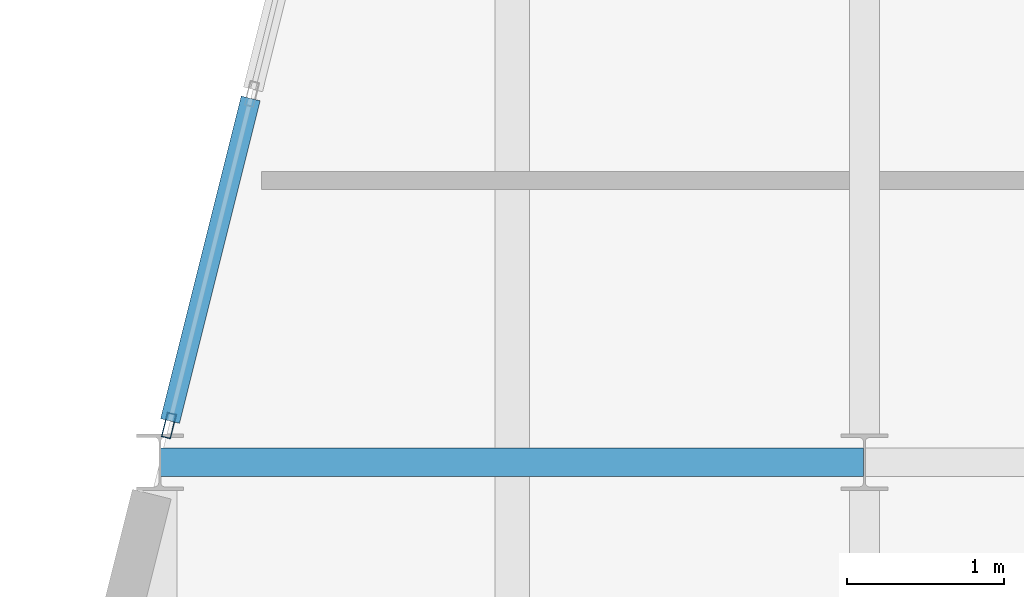
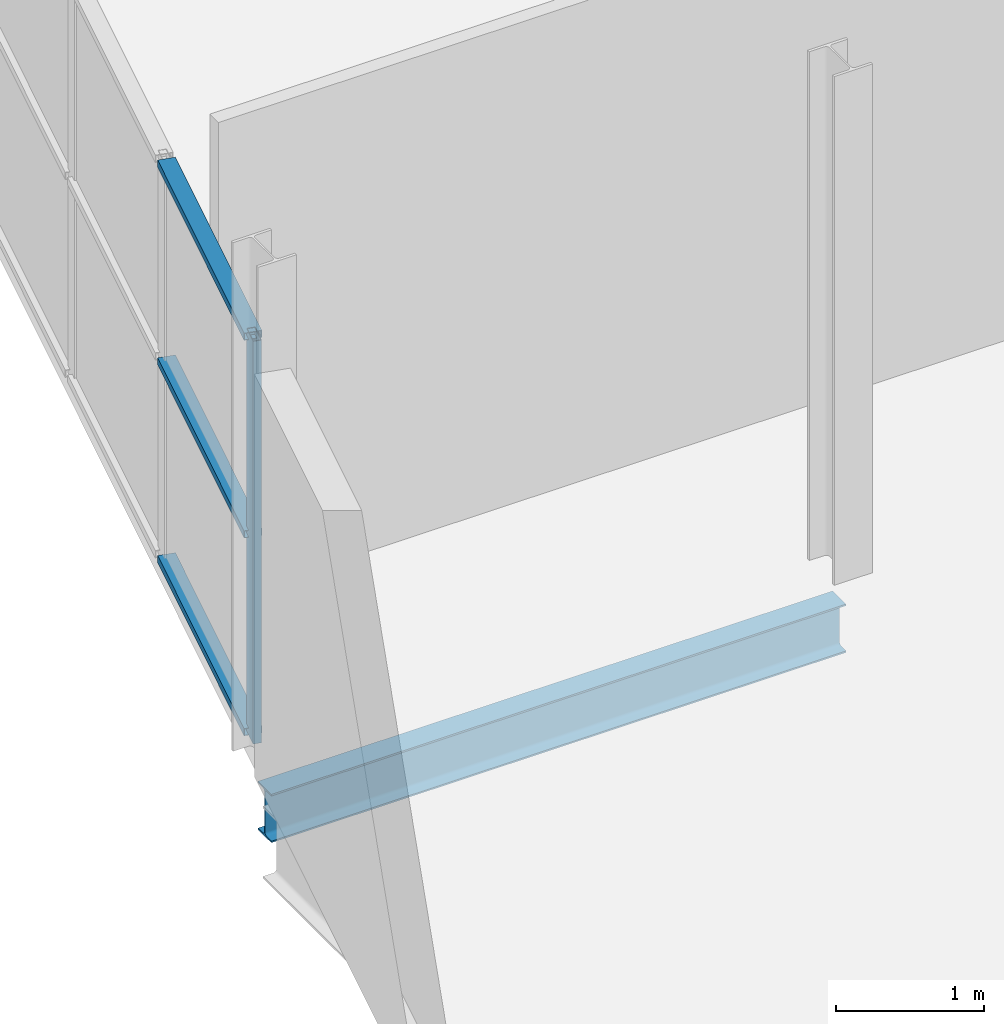
# One storey, part 95 of 140: 4 members, 1 beam, 1 element without a shape of its own.
"""IFC4 building model written with IfcOpenShell, lengths in metres."""

from ifc_helpers import new_model, si_unit, direction, frame, origin, origin_2d, place, context, subcontext, project, spatial, hollow_rectangle, i_section, extrude, material, layer, layer_set, material_profile, profile_set, type_object, element, aggregate, save


model = new_model("IFC4")

# Units and contexts
model_context = context("Model", 3, precision=1e-05, world=origin(), true_north=direction((0.0, 1.0)))
body_context = subcontext(model_context, "Body", "Model", "MODEL_VIEW")
ifc_project = project(units=[si_unit("LENGTHUNIT", "METRE"), si_unit("AREAUNIT", "SQUARE_METRE"), si_unit("VOLUMEUNIT", "CUBIC_METRE"), si_unit("PLANEANGLEUNIT", "RADIAN"), si_unit("MASSUNIT", "GRAM", prefix="KILO")], contexts=[model_context])

# Site, building, storey
site_placement = place(None, origin())
site = spatial("IfcSite", under=ifc_project, at=site_placement, CompositionType="ELEMENT")
building_placement = place(site_placement, origin())
building = spatial("IfcBuilding", under=site, at=building_placement, Name="Deido Ridge Mobility Hub", CompositionType="ELEMENT")
storey_placement = place(building_placement, origin())
storey = spatial("IfcBuildingStorey", under=building, at=storey_placement, Name="L00", CompositionType="ELEMENT", Elevation=0.0)

# Beam
ifc_material_1 = material(Name="Steel S355J2 EN 10025-2", Category="steel")
ifc_material_profile_1 = material_profile(ifc_material_1, i_section(OverallWidth=0.179931640625, OverallDepth=0.39990234375, WebThickness=0.008544921875, FlangeThickness=0.013427734375, FilletRadius=0.02099609375, at=origin_2d()), Name="IPE 400")
ifc_profile_set_1 = profile_set([ifc_material_profile_1], Name="Steel S355J2 EN 10025-2")
beam_type = type_object("IfcBeamType", Name="BM-IPE400", PredefinedType="BEAM", material=ifc_profile_set_1)
beam_placement = place(storey_placement, frame((130.506103515625, 54.0, -0.4599609375), z_axis=(1.0, 0.0, 0.0), x_axis=(0.0, 1.0, 0.0)))
element("IfcBeam", 1, at=beam_placement, inside=storey, type_object=beam_type, Name="Floor beam B5", PredefinedType="BEAM", context=body_context, shape_type="SweptSolid", body=[
    extrude(i_section(OverallWidth=0.179931640625, OverallDepth=0.39990234375, WebThickness=0.008544921875, FlangeThickness=0.013427734375, FilletRadius=0.02099609375, at=origin_2d()), origin(), (0.0, 0.0, 1.0), 4.48779296875),
])

# Curtain wall, members
ifc_material_2 = material(Name="Anodised aluminium EN AW-6063 T6", Category="aluminium")
ifc_layer = layer(ifc_material_2, 0.2099609375, Name="Anodised aluminium EN AW-6063 T6")
ifc_layer_set = layer_set([ifc_layer], Name="Anodised aluminium EN AW-6063 T6")
curtain_wall_type = type_object("IfcCurtainWallType", Name="CW-UF-4", PredefinedType="USERDEFINED", material=ifc_layer_set)
curtain_wall_placement = place(storey_placement, origin())
curtain_wall = element("IfcCurtainWall", 2, at=curtain_wall_placement, inside=storey, type_object=curtain_wall_type, Name="Unitised curtain wall CW4", ObjectType="UNITISED FACADE", PredefinedType="USERDEFINED")
ifc_material_profile_2 = material_profile(ifc_material_2, hollow_rectangle(XDim=0.06005859375, YDim=0.159912109375, WallThickness=0.00390625, at=origin_2d()), Name="RHS 60x160x4")
ifc_profile_set_2 = profile_set([ifc_material_profile_2], Name="Anodised aluminium EN AW-6063 T6")
member_type_1 = type_object("IfcMemberType", Name="MEM-MUL-60X160", PredefinedType="MULLION", material=ifc_profile_set_2)
member_1_placement = place(storey_placement, frame((130.55859375, 54.23388671875, 0.0), z_axis=(0.0, 0.0, 1.0), x_axis=(-0.970143828731, 0.242530310632, 0.0)))
member_1 = element("IfcMember", 3, at=member_1_placement, type_object=member_type_1, Name="CW4 mullion 1", PredefinedType="MULLION", context=body_context, shape_type="SweptSolid", body=[
    extrude(hollow_rectangle(XDim=0.06005859375, YDim=0.159912109375, WallThickness=0.00390625, at=origin_2d()), origin(), (0.0, 0.0, 1.0), 3.324951171875),
])
ifc_material_profile_3 = material_profile(ifc_material_2, hollow_rectangle(XDim=0.125, YDim=0.06005859375, WallThickness=0.00390625, at=origin_2d()), Name="RHS 125x60x4")
ifc_profile_set_3 = profile_set([ifc_material_profile_3], Name="Anodised aluminium EN AW-6063 T6")
member_type_2 = type_object("IfcMemberType", Name="MEM-TRN-125X60", PredefinedType="USERDEFINED", material=ifc_profile_set_3)
member_2_placement = place(storey_placement, frame((130.565673828125, 54.262939453125, 0.030029296875), z_axis=(0.242562674028, 0.970135737497, 0.0), x_axis=(-0.970135737497, 0.242562674028, 0.0)))
member_2 = element("IfcMember", 4, at=member_2_placement, type_object=member_type_2, Name="CW4 transom 1.1", ObjectType="TRANSOM", PredefinedType="USERDEFINED", context=body_context, shape_type="SweptSolid", body=[
    extrude(hollow_rectangle(XDim=0.125, YDim=0.06005859375, WallThickness=0.00390625, at=origin_2d()), origin(), (0.0, 0.0, 1.0), 2.123779296875),
])
member_3_placement = place(storey_placement, frame((130.565673828125, 54.262939453125, 1.66259765625), z_axis=(0.242562674028, 0.970135737497, 0.0), x_axis=(-0.970135737497, 0.242562674028, 0.0)))
member_3 = element("IfcMember", 5, at=member_3_placement, type_object=member_type_2, Name="CW4 transom 1.2", ObjectType="TRANSOM", PredefinedType="USERDEFINED", context=body_context, shape_type="SweptSolid", body=[
    extrude(hollow_rectangle(XDim=0.125, YDim=0.06005859375, WallThickness=0.00390625, at=origin_2d()), origin(), (0.0, 0.0, 1.0), 2.123779296875),
])
member_4_placement = place(storey_placement, frame((130.565673828125, 54.262939453125, 3.294921875), z_axis=(0.242562674028, 0.970135737497, 0.0), x_axis=(-0.970135737497, 0.242562674028, 0.0)))
member_4 = element("IfcMember", 6, at=member_4_placement, type_object=member_type_2, Name="CW4 transom 1.3", ObjectType="TRANSOM", PredefinedType="USERDEFINED", context=body_context, shape_type="SweptSolid", body=[
    extrude(hollow_rectangle(XDim=0.125, YDim=0.06005859375, WallThickness=0.00390625, at=origin_2d()), origin(), (0.0, 0.0, 1.0), 2.123779296875),
])
aggregate(curtain_wall, [member_1, member_2, member_3, member_4])

save(model, "model.ifc")
